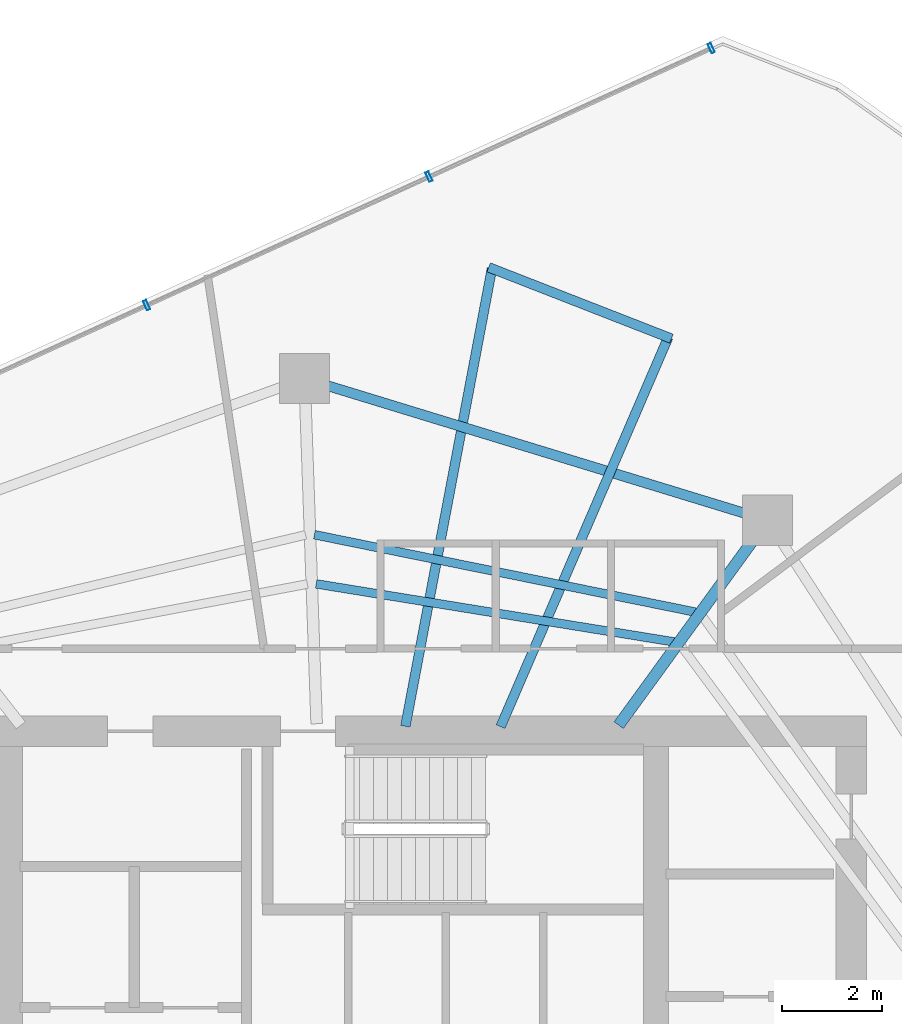
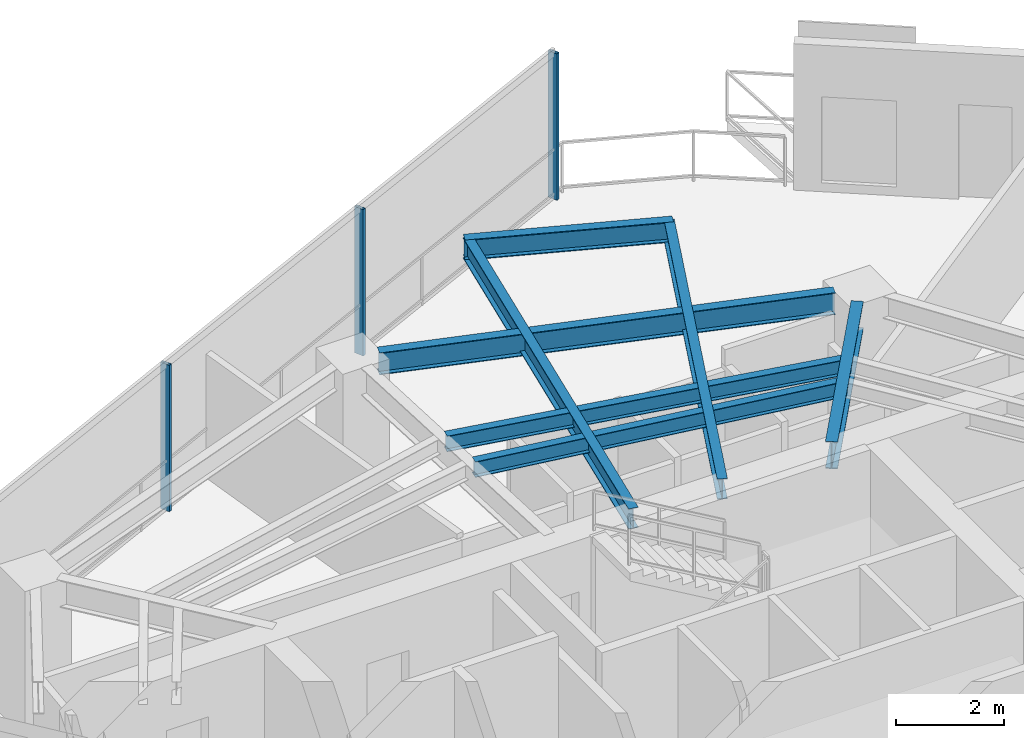
# One storey, part 14 of 21: 7 beams, 3 members, 1 element without a shape of its own.
"""IFC4 building model written with IfcOpenShell, lengths in metres."""

from ifc_helpers import new_model, si_unit, direction, frame, origin, origin_2d, place, context, subcontext, project, spatial, hollow_rectangle, i_section, extrude, material, layer, layer_set, material_profile, profile_set, type_object, element, aggregate, save


model = new_model("IFC4")

# Units and contexts
model_context = context("Model", 3, precision=1e-05, world=origin(), true_north=direction((0.0, 1.0)))
body_context = subcontext(model_context, "Body", "Model", "MODEL_VIEW")
ifc_project = project(units=[si_unit("LENGTHUNIT", "METRE"), si_unit("AREAUNIT", "SQUARE_METRE"), si_unit("VOLUMEUNIT", "CUBIC_METRE"), si_unit("PLANEANGLEUNIT", "RADIAN"), si_unit("MASSUNIT", "GRAM", prefix="KILO")], contexts=[model_context])

# Site, building, storey
site_placement = place(None, origin())
site = spatial("IfcSite", under=ifc_project, at=site_placement, CompositionType="ELEMENT")
building_placement = place(site_placement, origin())
building = spatial("IfcBuilding", under=site, at=building_placement, Name="Qarnah Convention Tower", CompositionType="ELEMENT")
storey_placement = place(building_placement, frame((0.0, 0.0, 158.10009765625)))
storey = spatial("IfcBuildingStorey", under=building, at=storey_placement, Name="L42", CompositionType="ELEMENT", Elevation=158.10009765625)

# Beams
ifc_material_1 = material(Name="Structural steel S355JR", Category="steel")
ifc_material_profile_1 = material_profile(ifc_material_1, i_section(OverallWidth=0.19189453125, OverallDepth=0.464111328125, WebThickness=0.010986328125, FlangeThickness=0.01806640625, at=origin_2d()), Name="W460X89")
ifc_profile_set_1 = profile_set([ifc_material_profile_1], Name="Structural steel S355JR")
beam_type_1 = type_object("IfcBeamType", Name="BM-CANT-W460A", PredefinedType="BEAM", material=ifc_profile_set_1)
beam_1_placement = place(storey_placement, frame((40.596923828125, 34.2919921875, 3.087890625), z_axis=(0.395464433699, 0.918481290871, 0.0), x_axis=(-0.918481290871, 0.395464433699, 0.0)))
element("IfcBeam", 1, at=beam_1_placement, inside=storey, type_object=beam_type_1, Name="L42 beam BM-L42-CNT-01-1", PredefinedType="BEAM", context=body_context, shape_type="SweptSolid", body=[
    extrude(i_section(OverallWidth=0.19189453125, OverallDepth=0.464111328125, WebThickness=0.010986328125, FlangeThickness=0.01806640625, at=origin_2d()), origin(), (0.0, 0.0, 1.0), 8.4638671875),
])
beam_2_placement = place(storey_placement, frame((38.695068359375, 34.298095703125, 3.087890625), z_axis=(0.185817043038, 0.982584361018, 0.0), x_axis=(-0.982584361018, 0.185817043038, 0.0)))
element("IfcBeam", 2, at=beam_2_placement, inside=storey, type_object=beam_type_1, Name="L42 beam BM-L42-CNT-01-2", PredefinedType="BEAM", context=body_context, shape_type="SweptSolid", body=[
    extrude(i_section(OverallWidth=0.19189453125, OverallDepth=0.464111328125, WebThickness=0.010986328125, FlangeThickness=0.01806640625, at=origin_2d()), origin(), (0.0, 0.0, 1.0), 9.304931640625),
])
beam_3_placement = place(storey_placement, frame((44.009033203125, 42.041015625, 3.087890625), z_axis=(-0.931525629959, 0.363675680695, 0.0), x_axis=(-0.363675680695, -0.931525629959, 0.0)))
element("IfcBeam", 3, at=beam_3_placement, inside=storey, type_object=beam_type_1, Name="L42 spandrel BM-L42-CTIE-01", PredefinedType="SPANDREL", context=body_context, shape_type="SweptSolid", body=[
    extrude(i_section(OverallWidth=0.19189453125, OverallDepth=0.464111328125, WebThickness=0.010986328125, FlangeThickness=0.01806640625, at=origin_2d()), origin(), (0.0, 0.0, 1.0), 3.91845703125),
])
ifc_material_profile_2 = material_profile(ifc_material_1, i_section(OverallWidth=0.172119140625, OverallDepth=0.35595703125, WebThickness=0.007080078125, FlangeThickness=0.011962890625, at=origin_2d()), Name="W360X51")
ifc_profile_set_2 = profile_set([ifc_material_profile_2], Name="Structural steel S355JR")
beam_type_2 = type_object("IfcBeamType", Name="BM-JST-W360", PredefinedType="JOIST", material=ifc_profile_set_2)
beam_4_placement = place(storey_placement, frame((44.493896484375, 36.577880859375, 3.141845703125), z_axis=(-0.979984159566, 0.199075480659, 0.0), x_axis=(-0.199075480659, -0.979984159566, 0.0)))
element("IfcBeam", 4, at=beam_4_placement, inside=storey, type_object=beam_type_2, Name="L42 joist BM-L42-SJST-02", PredefinedType="JOIST", context=body_context, shape_type="SweptSolid", body=[
    extrude(i_section(OverallWidth=0.172119140625, OverallDepth=0.35595703125, WebThickness=0.007080078125, FlangeThickness=0.011962890625, at=origin_2d()), origin(), (0.0, 0.0, 1.0), 7.771484375),
])
beam_5_placement = place(storey_placement, frame((44.06396484375, 35.98388671875, 3.141845703125), z_axis=(-0.987111234702, 0.160035653294, 0.0), x_axis=(-0.160035653294, -0.987111234702, 0.0)))
element("IfcBeam", 5, at=beam_5_placement, inside=storey, type_object=beam_type_2, Name="L42 joist BM-L42-IJST-02", PredefinedType="JOIST", context=body_context, shape_type="SweptSolid", body=[
    extrude(i_section(OverallWidth=0.172119140625, OverallDepth=0.35595703125, WebThickness=0.007080078125, FlangeThickness=0.011962890625, at=origin_2d()), origin(), (0.0, 0.0, 1.0), 7.2431640625),
])
ifc_material_profile_3 = material_profile(ifc_material_1, i_section(OverallWidth=0.22998046875, OverallDepth=0.617919921875, WebThickness=0.012939453125, FlangeThickness=0.02197265625, at=origin_2d()), Name="W610X140")
ifc_profile_set_3 = profile_set([ifc_material_profile_3], Name="Structural steel S355JR")
beam_type_3 = type_object("IfcBeamType", Name="BM-RAD-W610A", PredefinedType="BEAM", material=ifc_profile_set_3)
beam_6_placement = place(storey_placement, frame((42.955078125, 34.321044921875, 3.010986328125), z_axis=(0.58781027487, 0.808998813817, 0.0), x_axis=(-0.808998813817, 0.58781027487, 0.0)))
element("IfcBeam", 6, at=beam_6_placement, inside=storey, type_object=beam_type_3, Name="L42 beam BM-L42-RAD-02", PredefinedType="BEAM", context=body_context, shape_type="SweptSolid", body=[
    extrude(i_section(OverallWidth=0.22998046875, OverallDepth=0.617919921875, WebThickness=0.012939453125, FlangeThickness=0.02197265625, at=origin_2d()), origin(), (0.0, 0.0, 1.0), 4.57958984375),
])
ifc_material_profile_4 = material_profile(ifc_material_1, i_section(OverallWidth=0.199951171875, OverallDepth=0.5, WebThickness=0.010009765625, FlangeThickness=0.01611328125, at=origin_2d()), Name="IPE500")
ifc_profile_set_4 = profile_set([ifc_material_profile_4], Name="Structural steel S355JR")
beam_type_4 = type_object("IfcBeamType", Name="BM-SPN-IPE500", PredefinedType="SPANDREL", material=ifc_profile_set_4)
beam_7_placement = place(storey_placement, frame((45.4599609375, 38.556884765625, 3.06982421875), z_axis=(-0.956283054976, 0.292442676035, 0.0), x_axis=(-0.292442676035, -0.956283054976, 0.0)))
element("IfcBeam", 7, at=beam_7_placement, inside=storey, type_object=beam_type_4, Name="L42 spandrel BM-L42-SPN-02", PredefinedType="SPANDREL", context=body_context, shape_type="SweptSolid", body=[
    extrude(i_section(OverallWidth=0.199951171875, OverallDepth=0.5, WebThickness=0.010009765625, FlangeThickness=0.01611328125, at=origin_2d()), origin(), (0.0, 0.0, 1.0), 8.68896484375),
])

# Curtain wall, members
ifc_material_2 = material(Name="Tempered Low-E dark glass", Category="glass")
ifc_layer = layer(ifc_material_2, 0.172119140625)
ifc_layer_set = layer_set([ifc_layer], Name="Tempered Low-E dark glass")
curtain_wall_type = type_object("IfcCurtainWallType", Name="CWS-03", PredefinedType="NOTDEFINED", material=ifc_layer_set)
curtain_wall_placement = place(storey_placement, origin())
curtain_wall = element("IfcCurtainWall", 8, at=curtain_wall_placement, inside=storey, type_object=curtain_wall_type, Name="L42 unitised curtain wall CW-L42-F1", PredefinedType="NOTDEFINED")
ifc_material_3 = material(Name="Black anodised aluminium", Category="aluminium")
ifc_material_profile_5 = material_profile(ifc_material_3, hollow_rectangle(XDim=0.070068359375, YDim=0.199951171875, WallThickness=0.0048828125, at=origin_2d()), Name="MUL-70X200")
ifc_profile_set_5 = profile_set([ifc_material_profile_5], Name="Black anodised aluminium")
member_type = type_object("IfcMemberType", Name="MUL-T3", PredefinedType="MULLION", material=ifc_profile_set_5)
member_1_placement = place(storey_placement, frame((33.528564453125, 42.708984375, 0.0), z_axis=(0.0, 0.0, 1.0), x_axis=(0.910112016723, 0.414362301636, 0.0)))
member_1 = element("IfcMember", 9, at=member_1_placement, type_object=member_type, Name="CW-L42-F1 mullion 4", PredefinedType="MULLION", context=body_context, shape_type="SweptSolid", body=[
    extrude(hollow_rectangle(XDim=0.070068359375, YDim=0.199951171875, WallThickness=0.0048828125, at=origin_2d()), origin(), (0.0, 0.0, 1.0), 3.31982421875),
])
member_2_placement = place(storey_placement, frame((39.166748046875, 45.27587890625, 0.0), z_axis=(0.0, 0.0, 1.0), x_axis=(0.910112016723, 0.414362301636, 0.0)))
member_2 = element("IfcMember", 10, at=member_2_placement, type_object=member_type, Name="CW-L42-F1 mullion 5", PredefinedType="MULLION", context=body_context, shape_type="SweptSolid", body=[
    extrude(hollow_rectangle(XDim=0.070068359375, YDim=0.199951171875, WallThickness=0.0048828125, at=origin_2d()), origin(), (0.0, 0.0, 1.0), 3.31982421875),
])
member_3_placement = place(storey_placement, frame((44.804931640625, 47.843017578125, 0.0), z_axis=(0.0, 0.0, 1.0), x_axis=(0.910112016723, 0.414362301636, 0.0)))
member_3 = element("IfcMember", 11, at=member_3_placement, type_object=member_type, Name="CW-L42-F1 mullion 6", PredefinedType="MULLION", context=body_context, shape_type="SweptSolid", body=[
    extrude(hollow_rectangle(XDim=0.070068359375, YDim=0.199951171875, WallThickness=0.0048828125, at=origin_2d()), origin(), (0.0, 0.0, 1.0), 3.31982421875),
])
aggregate(curtain_wall, [member_1, member_2, member_3])

save(model, "model.ifc")
